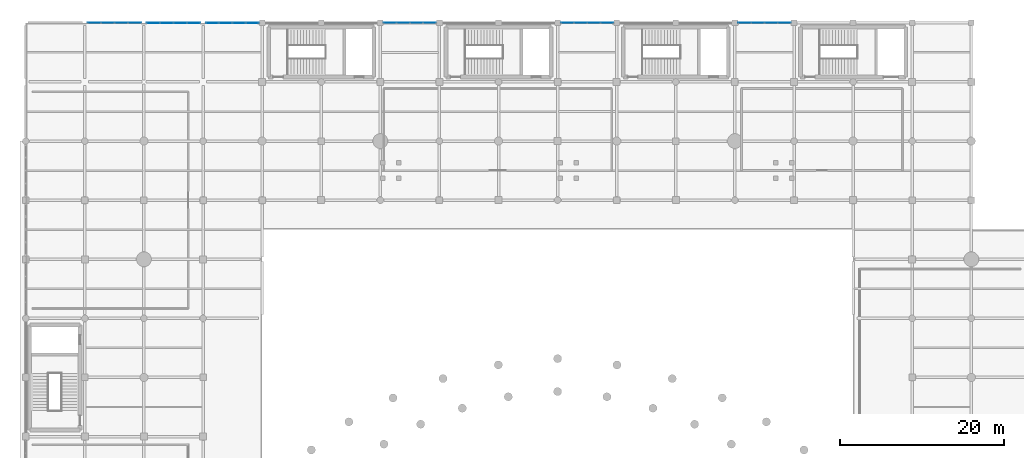
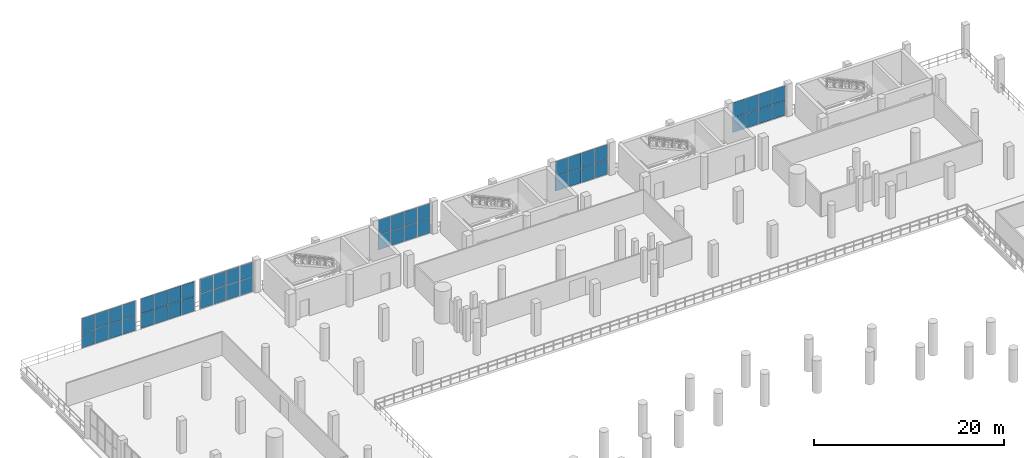
# One storey, part 129 of 153: 48 plates, 6 elements without a shape of their own.
"""IFC4 building model written with IfcOpenShell, lengths in metres."""

from ifc_helpers import new_model, si_unit, direction, frame, origin, origin_2d, place, context, subcontext, project, spatial, rectangle, extrude, material, layer, layer_set, type_object, element, aggregate, save


model = new_model("IFC4")

# Units and contexts
model_context = context("Model", 3, precision=1e-05, world=origin(), true_north=direction((0.0, 1.0)))
body_context = subcontext(model_context, "Body", "Model", "MODEL_VIEW")
ifc_project = project(units=[si_unit("LENGTHUNIT", "METRE"), si_unit("AREAUNIT", "SQUARE_METRE"), si_unit("VOLUMEUNIT", "CUBIC_METRE"), si_unit("PLANEANGLEUNIT", "RADIAN"), si_unit("MASSUNIT", "GRAM", prefix="KILO")], contexts=[model_context])

# Site, building, storey
site_placement = place(None, origin())
site = spatial("IfcSite", under=ifc_project, at=site_placement, CompositionType="ELEMENT")
building_placement = place(site_placement, origin())
building = spatial("IfcBuilding", under=site, at=building_placement, Name="Qandorah Velis Arena", CompositionType="ELEMENT")
storey_placement = place(building_placement, frame((0.0, 0.0, 5.39990234375)))
storey = spatial("IfcBuildingStorey", under=building, at=storey_placement, Name="L01", CompositionType="ELEMENT", Elevation=5.39990234375)

# Curtain wall, plates
ifc_material = material(Name="Solar-control low-E double glazing", Category="glass")
curtain_wall_type_1 = type_object("IfcCurtainWallType", Name="ARC-CW-SYS07", PredefinedType="USERDEFINED", material=ifc_material)
curtain_wall_1_placement = place(storey_placement, origin())
curtain_wall_1 = element("IfcCurtainWall", 1, at=curtain_wall_1_placement, inside=storey, type_object=curtain_wall_type_1, Name="Unitised curtain wall L01-079", ObjectType="UNITISED CURTAIN WALL", PredefinedType="USERDEFINED")
ifc_layer_1 = layer(ifc_material, 0.02392578125)
ifc_layer_set_1 = layer_set([ifc_layer_1], Name="Solar-control low-E double glazing")
plate_type_1 = type_object("IfcPlateType", Name="ARC-CWP-GLZ24", PredefinedType="CURTAIN_PANEL", material=ifc_layer_set_1)
plate_1_placement = place(storey_placement, frame((8.340087890625, 129.60009765625, 0.05029296875), z_axis=(0.0, 0.0, 1.0), x_axis=(1.0, 0.0, 0.0)))
plate_1 = element("IfcPlate", 2, at=plate_1_placement, type_object=plate_type_1, Name="CW07 panel 1.1", PredefinedType="CURTAIN_PANEL", context=body_context, shape_type="SweptSolid", body=[
    extrude(rectangle(XDim=1.580078125, YDim=0.02392578125, at=origin_2d()), origin(), (0.0, 0.0, 1.0), 1.889892578125),
])
plate_2_placement = place(storey_placement, frame((8.340087890625, 129.60009765625, 1.97998046875), z_axis=(0.0, 0.0, 1.0), x_axis=(1.0, 0.0, 0.0)))
plate_2 = element("IfcPlate", 3, at=plate_2_placement, type_object=plate_type_1, Name="CW07 panel 1.2", PredefinedType="CURTAIN_PANEL", context=body_context, shape_type="SweptSolid", body=[
    extrude(rectangle(XDim=1.580078125, YDim=0.02392578125, at=origin_2d()), origin(), (0.0, 0.0, 1.0), 1.889892578125),
])
plate_3_placement = place(storey_placement, frame((9.97509765625, 129.60009765625, 0.05029296875), z_axis=(0.0, 0.0, 1.0), x_axis=(1.0, 0.0, 0.0)))
plate_3 = element("IfcPlate", 4, at=plate_3_placement, type_object=plate_type_1, Name="CW07 panel 2.1", PredefinedType="CURTAIN_PANEL", context=body_context, shape_type="SweptSolid", body=[
    extrude(rectangle(XDim=1.610107421875, YDim=0.02392578125, at=origin_2d()), origin(), (0.0, 0.0, 1.0), 1.889892578125),
])
plate_4_placement = place(storey_placement, frame((9.97509765625, 129.60009765625, 1.97998046875), z_axis=(0.0, 0.0, 1.0), x_axis=(1.0, 0.0, 0.0)))
plate_4 = element("IfcPlate", 5, at=plate_4_placement, type_object=plate_type_1, Name="CW07 panel 2.2", PredefinedType="CURTAIN_PANEL", context=body_context, shape_type="SweptSolid", body=[
    extrude(rectangle(XDim=1.610107421875, YDim=0.02392578125, at=origin_2d()), origin(), (0.0, 0.0, 1.0), 1.889892578125),
])
plate_5_placement = place(storey_placement, frame((11.625, 129.60009765625, 0.05029296875), z_axis=(0.0, 0.0, 1.0), x_axis=(1.0, 0.0, 0.0)))
plate_5 = element("IfcPlate", 6, at=plate_5_placement, type_object=plate_type_1, Name="CW07 panel 3.1", PredefinedType="CURTAIN_PANEL", context=body_context, shape_type="SweptSolid", body=[
    extrude(rectangle(XDim=1.610107421875, YDim=0.02392578125, at=origin_2d()), origin(), (0.0, 0.0, 1.0), 1.889892578125),
])
plate_6_placement = place(storey_placement, frame((11.625, 129.60009765625, 1.97998046875), z_axis=(0.0, 0.0, 1.0), x_axis=(1.0, 0.0, 0.0)))
plate_6 = element("IfcPlate", 7, at=plate_6_placement, type_object=plate_type_1, Name="CW07 panel 3.2", PredefinedType="CURTAIN_PANEL", context=body_context, shape_type="SweptSolid", body=[
    extrude(rectangle(XDim=1.610107421875, YDim=0.02392578125, at=origin_2d()), origin(), (0.0, 0.0, 1.0), 1.889892578125),
])
plate_7_placement = place(storey_placement, frame((13.260009765625, 129.60009765625, 0.05029296875), z_axis=(0.0, 0.0, 1.0), x_axis=(1.0, 0.0, 0.0)))
plate_7 = element("IfcPlate", 8, at=plate_7_placement, type_object=plate_type_1, Name="CW07 panel 4.1", PredefinedType="CURTAIN_PANEL", context=body_context, shape_type="SweptSolid", body=[
    extrude(rectangle(XDim=1.580078125, YDim=0.02392578125, at=origin_2d()), origin(), (0.0, 0.0, 1.0), 1.889892578125),
])
plate_8_placement = place(storey_placement, frame((13.260009765625, 129.60009765625, 1.97998046875), z_axis=(0.0, 0.0, 1.0), x_axis=(1.0, 0.0, 0.0)))
plate_8 = element("IfcPlate", 9, at=plate_8_placement, type_object=plate_type_1, Name="CW07 panel 4.2", PredefinedType="CURTAIN_PANEL", context=body_context, shape_type="SweptSolid", body=[
    extrude(rectangle(XDim=1.580078125, YDim=0.02392578125, at=origin_2d()), origin(), (0.0, 0.0, 1.0), 1.889892578125),
])
aggregate(curtain_wall_1, [plate_1, plate_2, plate_3, plate_4, plate_5, plate_6, plate_7, plate_8])

curtain_wall_type_2 = type_object("IfcCurtainWallType", Name="ARC-CW-SYS12", PredefinedType="USERDEFINED", material=ifc_material)
curtain_wall_2_placement = place(storey_placement, origin())
curtain_wall_2 = element("IfcCurtainWall", 10, at=curtain_wall_2_placement, inside=storey, type_object=curtain_wall_type_2, Name="Unitised curtain wall L01-084", ObjectType="UNITISED CURTAIN WALL", PredefinedType="USERDEFINED")
plate_9_placement = place(storey_placement, frame((87.594970703125, 129.60009765625, 0.045166015625), z_axis=(0.0, 0.0, 1.0), x_axis=(1.0, 0.0, 0.0)))
plate_9 = element("IfcPlate", 11, at=plate_9_placement, type_object=plate_type_1, Name="CW12 panel 1.1", PredefinedType="CURTAIN_PANEL", context=body_context, shape_type="SweptSolid", body=[
    extrude(rectangle(XDim=1.550048828125, YDim=0.02392578125, at=origin_2d()), origin(), (0.0, 0.0, 1.0), 1.8974609375),
])
plate_10_placement = place(storey_placement, frame((87.594970703125, 129.60009765625, 1.9775390625), z_axis=(0.0, 0.0, 1.0), x_axis=(1.0, 0.0, 0.0)))
plate_10 = element("IfcPlate", 12, at=plate_10_placement, type_object=plate_type_1, Name="CW12 panel 1.2", PredefinedType="CURTAIN_PANEL", context=body_context, shape_type="SweptSolid", body=[
    extrude(rectangle(XDim=1.550048828125, YDim=0.02392578125, at=origin_2d()), origin(), (0.0, 0.0, 1.0), 1.8974609375),
])
plate_11_placement = place(storey_placement, frame((89.19384765625, 129.60009765625, 0.045166015625), z_axis=(0.0, 0.0, 1.0), x_axis=(1.0, 0.0, 0.0)))
plate_11 = element("IfcPlate", 13, at=plate_11_placement, type_object=plate_type_1, Name="CW12 panel 2.1", PredefinedType="CURTAIN_PANEL", context=body_context, shape_type="SweptSolid", body=[
    extrude(rectangle(XDim=1.577392578125, YDim=0.02392578125, at=origin_2d()), origin(), (0.0, 0.0, 1.0), 1.8974609375),
])
plate_12_placement = place(storey_placement, frame((89.19384765625, 129.60009765625, 1.9775390625), z_axis=(0.0, 0.0, 1.0), x_axis=(1.0, 0.0, 0.0)))
plate_12 = element("IfcPlate", 14, at=plate_12_placement, type_object=plate_type_1, Name="CW12 panel 2.2", PredefinedType="CURTAIN_PANEL", context=body_context, shape_type="SweptSolid", body=[
    extrude(rectangle(XDim=1.577392578125, YDim=0.02392578125, at=origin_2d()), origin(), (0.0, 0.0, 1.0), 1.8974609375),
])
plate_13_placement = place(storey_placement, frame((90.80615234375, 129.60009765625, 0.045166015625), z_axis=(0.0, 0.0, 1.0), x_axis=(1.0, 0.0, 0.0)))
plate_13 = element("IfcPlate", 15, at=plate_13_placement, type_object=plate_type_1, Name="CW12 panel 3.1", PredefinedType="CURTAIN_PANEL", context=body_context, shape_type="SweptSolid", body=[
    extrude(rectangle(XDim=1.577392578125, YDim=0.02392578125, at=origin_2d()), origin(), (0.0, 0.0, 1.0), 1.8974609375),
])
plate_14_placement = place(storey_placement, frame((90.80615234375, 129.60009765625, 1.9775390625), z_axis=(0.0, 0.0, 1.0), x_axis=(1.0, 0.0, 0.0)))
plate_14 = element("IfcPlate", 16, at=plate_14_placement, type_object=plate_type_1, Name="CW12 panel 3.2", PredefinedType="CURTAIN_PANEL", context=body_context, shape_type="SweptSolid", body=[
    extrude(rectangle(XDim=1.577392578125, YDim=0.02392578125, at=origin_2d()), origin(), (0.0, 0.0, 1.0), 1.8974609375),
])
plate_15_placement = place(storey_placement, frame((92.405029296875, 129.60009765625, 0.045166015625), z_axis=(0.0, 0.0, 1.0), x_axis=(1.0, 0.0, 0.0)))
plate_15 = element("IfcPlate", 17, at=plate_15_placement, type_object=plate_type_1, Name="CW12 panel 4.1", PredefinedType="CURTAIN_PANEL", context=body_context, shape_type="SweptSolid", body=[
    extrude(rectangle(XDim=1.550048828125, YDim=0.02392578125, at=origin_2d()), origin(), (0.0, 0.0, 1.0), 1.8974609375),
])
plate_16_placement = place(storey_placement, frame((92.405029296875, 129.60009765625, 1.9775390625), z_axis=(0.0, 0.0, 1.0), x_axis=(1.0, 0.0, 0.0)))
plate_16 = element("IfcPlate", 18, at=plate_16_placement, type_object=plate_type_1, Name="CW12 panel 4.2", PredefinedType="CURTAIN_PANEL", context=body_context, shape_type="SweptSolid", body=[
    extrude(rectangle(XDim=1.550048828125, YDim=0.02392578125, at=origin_2d()), origin(), (0.0, 0.0, 1.0), 1.8974609375),
])
aggregate(curtain_wall_2, [plate_9, plate_10, plate_11, plate_12, plate_13, plate_14, plate_15, plate_16])

curtain_wall_type_3 = type_object("IfcCurtainWallType", Name="ARC-CW-SYS11", PredefinedType="USERDEFINED", material=ifc_material)
curtain_wall_3_placement = place(storey_placement, origin())
curtain_wall_3 = element("IfcCurtainWall", 19, at=curtain_wall_3_placement, inside=storey, type_object=curtain_wall_type_3, Name="Unitised curtain wall L01-083", ObjectType="UNITISED CURTAIN WALL", PredefinedType="USERDEFINED")
ifc_layer_2 = layer(ifc_material, 0.028076171875)
ifc_layer_set_2 = layer_set([ifc_layer_2], Name="Solar-control low-E double glazing")
plate_type_2 = type_object("IfcPlateType", Name="ARC-CWP-GLZ28", PredefinedType="CURTAIN_PANEL", material=ifc_layer_set_2)
plate_17_placement = place(storey_placement, frame((65.996337890625, 129.60009765625, 0.05029296875), z_axis=(0.0, 0.0, 1.0), x_axis=(1.0, 0.0, 0.0)))
plate_17 = element("IfcPlate", 20, at=plate_17_placement, type_object=plate_type_2, Name="CW11 panel 1.1", PredefinedType="CURTAIN_PANEL", context=body_context, shape_type="SweptSolid", body=[
    extrude(rectangle(XDim=1.54248046875, YDim=0.028076171875, at=origin_2d()), origin(), (0.0, 0.0, 1.0), 1.889892578125),
])
plate_18_placement = place(storey_placement, frame((65.996337890625, 129.60009765625, 1.97998046875), z_axis=(0.0, 0.0, 1.0), x_axis=(1.0, 0.0, 0.0)))
plate_18 = element("IfcPlate", 21, at=plate_18_placement, type_object=plate_type_2, Name="CW11 panel 1.2", PredefinedType="CURTAIN_PANEL", context=body_context, shape_type="SweptSolid", body=[
    extrude(rectangle(XDim=1.54248046875, YDim=0.028076171875, at=origin_2d()), origin(), (0.0, 0.0, 1.0), 1.889892578125),
])
plate_19_placement = place(storey_placement, frame((67.59375, 129.60009765625, 0.05029296875), z_axis=(0.0, 0.0, 1.0), x_axis=(1.0, 0.0, 0.0)))
plate_19 = element("IfcPlate", 22, at=plate_19_placement, type_object=plate_type_2, Name="CW11 panel 2.1", PredefinedType="CURTAIN_PANEL", context=body_context, shape_type="SweptSolid", body=[
    extrude(rectangle(XDim=1.572509765625, YDim=0.028076171875, at=origin_2d()), origin(), (0.0, 0.0, 1.0), 1.889892578125),
])
plate_20_placement = place(storey_placement, frame((67.59375, 129.60009765625, 1.97998046875), z_axis=(0.0, 0.0, 1.0), x_axis=(1.0, 0.0, 0.0)))
plate_20 = element("IfcPlate", 23, at=plate_20_placement, type_object=plate_type_2, Name="CW11 panel 2.2", PredefinedType="CURTAIN_PANEL", context=body_context, shape_type="SweptSolid", body=[
    extrude(rectangle(XDim=1.572509765625, YDim=0.028076171875, at=origin_2d()), origin(), (0.0, 0.0, 1.0), 1.889892578125),
])
plate_21_placement = place(storey_placement, frame((69.206298828125, 129.60009765625, 0.05029296875), z_axis=(0.0, 0.0, 1.0), x_axis=(1.0, 0.0, 0.0)))
plate_21 = element("IfcPlate", 24, at=plate_21_placement, type_object=plate_type_2, Name="CW11 panel 3.1", PredefinedType="CURTAIN_PANEL", context=body_context, shape_type="SweptSolid", body=[
    extrude(rectangle(XDim=1.572509765625, YDim=0.028076171875, at=origin_2d()), origin(), (0.0, 0.0, 1.0), 1.889892578125),
])
plate_22_placement = place(storey_placement, frame((69.206298828125, 129.60009765625, 1.97998046875), z_axis=(0.0, 0.0, 1.0), x_axis=(1.0, 0.0, 0.0)))
plate_22 = element("IfcPlate", 25, at=plate_22_placement, type_object=plate_type_2, Name="CW11 panel 3.2", PredefinedType="CURTAIN_PANEL", context=body_context, shape_type="SweptSolid", body=[
    extrude(rectangle(XDim=1.572509765625, YDim=0.028076171875, at=origin_2d()), origin(), (0.0, 0.0, 1.0), 1.889892578125),
])
plate_23_placement = place(storey_placement, frame((70.8037109375, 129.60009765625, 0.05029296875), z_axis=(0.0, 0.0, 1.0), x_axis=(1.0, 0.0, 0.0)))
plate_23 = element("IfcPlate", 26, at=plate_23_placement, type_object=plate_type_2, Name="CW11 panel 4.1", PredefinedType="CURTAIN_PANEL", context=body_context, shape_type="SweptSolid", body=[
    extrude(rectangle(XDim=1.54248046875, YDim=0.028076171875, at=origin_2d()), origin(), (0.0, 0.0, 1.0), 1.889892578125),
])
plate_24_placement = place(storey_placement, frame((70.8037109375, 129.60009765625, 1.97998046875), z_axis=(0.0, 0.0, 1.0), x_axis=(1.0, 0.0, 0.0)))
plate_24 = element("IfcPlate", 27, at=plate_24_placement, type_object=plate_type_2, Name="CW11 panel 4.2", PredefinedType="CURTAIN_PANEL", context=body_context, shape_type="SweptSolid", body=[
    extrude(rectangle(XDim=1.54248046875, YDim=0.028076171875, at=origin_2d()), origin(), (0.0, 0.0, 1.0), 1.889892578125),
])
aggregate(curtain_wall_3, [plate_17, plate_18, plate_19, plate_20, plate_21, plate_22, plate_23, plate_24])

curtain_wall_type_4 = type_object("IfcCurtainWallType", Name="ARC-CW-SYS10", PredefinedType="USERDEFINED", material=ifc_material)
curtain_wall_4_placement = place(storey_placement, origin())
curtain_wall_4 = element("IfcCurtainWall", 28, at=curtain_wall_4_placement, inside=storey, type_object=curtain_wall_type_4, Name="Unitised curtain wall L01-082", ObjectType="UNITISED CURTAIN WALL", PredefinedType="USERDEFINED")
ifc_layer_3 = layer(ifc_material, 0.030029296875)
ifc_layer_set_3 = layer_set([ifc_layer_3], Name="Solar-control low-E double glazing")
plate_type_3 = type_object("IfcPlateType", Name="ARC-CWP-GLZ30", PredefinedType="CURTAIN_PANEL", material=ifc_layer_set_3)
plate_25_placement = place(storey_placement, frame((44.3974609375, 129.60009765625, 0.05517578125), z_axis=(0.0, 0.0, 1.0), x_axis=(1.0, 0.0, 0.0)))
plate_25 = element("IfcPlate", 29, at=plate_25_placement, type_object=plate_type_3, Name="CW10 panel 1.1", PredefinedType="CURTAIN_PANEL", context=body_context, shape_type="SweptSolid", body=[
    extrude(rectangle(XDim=1.534912109375, YDim=0.030029296875, at=origin_2d()), origin(), (0.0, 0.0, 1.0), 1.882568359375),
])
plate_26_placement = place(storey_placement, frame((44.3974609375, 129.60009765625, 1.982421875), z_axis=(0.0, 0.0, 1.0), x_axis=(1.0, 0.0, 0.0)))
plate_26 = element("IfcPlate", 30, at=plate_26_placement, type_object=plate_type_3, Name="CW10 panel 1.2", PredefinedType="CURTAIN_PANEL", context=body_context, shape_type="SweptSolid", body=[
    extrude(rectangle(XDim=1.534912109375, YDim=0.030029296875, at=origin_2d()), origin(), (0.0, 0.0, 1.0), 1.882568359375),
])
plate_27_placement = place(storey_placement, frame((45.99365234375, 129.60009765625, 0.05517578125), z_axis=(0.0, 0.0, 1.0), x_axis=(1.0, 0.0, 0.0)))
plate_27 = element("IfcPlate", 31, at=plate_27_placement, type_object=plate_type_3, Name="CW10 panel 2.1", PredefinedType="CURTAIN_PANEL", context=body_context, shape_type="SweptSolid", body=[
    extrude(rectangle(XDim=1.5673828125, YDim=0.030029296875, at=origin_2d()), origin(), (0.0, 0.0, 1.0), 1.882568359375),
])
plate_28_placement = place(storey_placement, frame((45.99365234375, 129.60009765625, 1.982421875), z_axis=(0.0, 0.0, 1.0), x_axis=(1.0, 0.0, 0.0)))
plate_28 = element("IfcPlate", 32, at=plate_28_placement, type_object=plate_type_3, Name="CW10 panel 2.2", PredefinedType="CURTAIN_PANEL", context=body_context, shape_type="SweptSolid", body=[
    extrude(rectangle(XDim=1.5673828125, YDim=0.030029296875, at=origin_2d()), origin(), (0.0, 0.0, 1.0), 1.882568359375),
])
plate_29_placement = place(storey_placement, frame((47.606201171875, 129.60009765625, 0.05517578125), z_axis=(0.0, 0.0, 1.0), x_axis=(1.0, 0.0, 0.0)))
plate_29 = element("IfcPlate", 33, at=plate_29_placement, type_object=plate_type_3, Name="CW10 panel 3.1", PredefinedType="CURTAIN_PANEL", context=body_context, shape_type="SweptSolid", body=[
    extrude(rectangle(XDim=1.5673828125, YDim=0.030029296875, at=origin_2d()), origin(), (0.0, 0.0, 1.0), 1.882568359375),
])
plate_30_placement = place(storey_placement, frame((47.606201171875, 129.60009765625, 1.982421875), z_axis=(0.0, 0.0, 1.0), x_axis=(1.0, 0.0, 0.0)))
plate_30 = element("IfcPlate", 34, at=plate_30_placement, type_object=plate_type_3, Name="CW10 panel 3.2", PredefinedType="CURTAIN_PANEL", context=body_context, shape_type="SweptSolid", body=[
    extrude(rectangle(XDim=1.5673828125, YDim=0.030029296875, at=origin_2d()), origin(), (0.0, 0.0, 1.0), 1.882568359375),
])
plate_31_placement = place(storey_placement, frame((49.202392578125, 129.60009765625, 0.05517578125), z_axis=(0.0, 0.0, 1.0), x_axis=(1.0, 0.0, 0.0)))
plate_31 = element("IfcPlate", 35, at=plate_31_placement, type_object=plate_type_3, Name="CW10 panel 4.1", PredefinedType="CURTAIN_PANEL", context=body_context, shape_type="SweptSolid", body=[
    extrude(rectangle(XDim=1.534912109375, YDim=0.030029296875, at=origin_2d()), origin(), (0.0, 0.0, 1.0), 1.882568359375),
])
plate_32_placement = place(storey_placement, frame((49.202392578125, 129.60009765625, 1.982421875), z_axis=(0.0, 0.0, 1.0), x_axis=(1.0, 0.0, 0.0)))
plate_32 = element("IfcPlate", 36, at=plate_32_placement, type_object=plate_type_3, Name="CW10 panel 4.2", PredefinedType="CURTAIN_PANEL", context=body_context, shape_type="SweptSolid", body=[
    extrude(rectangle(XDim=1.534912109375, YDim=0.030029296875, at=origin_2d()), origin(), (0.0, 0.0, 1.0), 1.882568359375),
])
aggregate(curtain_wall_4, [plate_25, plate_26, plate_27, plate_28, plate_29, plate_30, plate_31, plate_32])

curtain_wall_type_5 = type_object("IfcCurtainWallType", Name="ARC-CW-SYS09", PredefinedType="USERDEFINED", material=ifc_material)
curtain_wall_5_placement = place(storey_placement, origin())
curtain_wall_5 = element("IfcCurtainWall", 37, at=curtain_wall_5_placement, inside=storey, type_object=curtain_wall_type_5, Name="Unitised curtain wall L01-081", ObjectType="UNITISED CURTAIN WALL", PredefinedType="USERDEFINED")
ifc_layer_4 = layer(ifc_material, 0.035888671875)
ifc_layer_set_4 = layer_set([ifc_layer_4], Name="Solar-control low-E double glazing")
plate_type_4 = type_object("IfcPlateType", Name="ARC-CWP-GLZ36", PredefinedType="CURTAIN_PANEL", material=ifc_layer_set_4)
plate_33_placement = place(storey_placement, frame((22.734375, 129.60009765625, 0.06494140625), z_axis=(0.0, 0.0, 1.0), x_axis=(1.0, 0.0, 0.0)))
plate_33 = element("IfcPlate", 38, at=plate_33_placement, type_object=plate_type_4, Name="CW09 panel 1.1", PredefinedType="CURTAIN_PANEL", context=body_context, shape_type="SweptSolid", body=[
    extrude(rectangle(XDim=1.538818359375, YDim=0.035888671875, at=origin_2d()), origin(), (0.0, 0.0, 1.0), 1.867431640625),
])
plate_34_placement = place(storey_placement, frame((22.734375, 129.60009765625, 1.98779296875), z_axis=(0.0, 0.0, 1.0), x_axis=(1.0, 0.0, 0.0)))
plate_34 = element("IfcPlate", 39, at=plate_34_placement, type_object=plate_type_4, Name="CW09 panel 1.2", PredefinedType="CURTAIN_PANEL", context=body_context, shape_type="SweptSolid", body=[
    extrude(rectangle(XDim=1.538818359375, YDim=0.035888671875, at=origin_2d()), origin(), (0.0, 0.0, 1.0), 1.867431640625),
])
plate_35_placement = place(storey_placement, frame((24.346923828125, 129.60009765625, 0.06494140625), z_axis=(0.0, 0.0, 1.0), x_axis=(1.0, 0.0, 0.0)))
plate_35 = element("IfcPlate", 40, at=plate_35_placement, type_object=plate_type_4, Name="CW09 panel 2.1", PredefinedType="CURTAIN_PANEL", context=body_context, shape_type="SweptSolid", body=[
    extrude(rectangle(XDim=1.576416015625, YDim=0.035888671875, at=origin_2d()), origin(), (0.0, 0.0, 1.0), 1.867431640625),
])
plate_36_placement = place(storey_placement, frame((24.346923828125, 129.60009765625, 1.98779296875), z_axis=(0.0, 0.0, 1.0), x_axis=(1.0, 0.0, 0.0)))
plate_36 = element("IfcPlate", 41, at=plate_36_placement, type_object=plate_type_4, Name="CW09 panel 2.2", PredefinedType="CURTAIN_PANEL", context=body_context, shape_type="SweptSolid", body=[
    extrude(rectangle(XDim=1.576416015625, YDim=0.035888671875, at=origin_2d()), origin(), (0.0, 0.0, 1.0), 1.867431640625),
])
plate_37_placement = place(storey_placement, frame((25.97802734375, 129.60009765625, 0.06494140625), z_axis=(0.0, 0.0, 1.0), x_axis=(1.0, 0.0, 0.0)))
plate_37 = element("IfcPlate", 42, at=plate_37_placement, type_object=plate_type_4, Name="CW09 panel 3.1", PredefinedType="CURTAIN_PANEL", context=body_context, shape_type="SweptSolid", body=[
    extrude(rectangle(XDim=1.576416015625, YDim=0.035888671875, at=origin_2d()), origin(), (0.0, 0.0, 1.0), 1.867431640625),
])
plate_38_placement = place(storey_placement, frame((25.97802734375, 129.60009765625, 1.98779296875), z_axis=(0.0, 0.0, 1.0), x_axis=(1.0, 0.0, 0.0)))
plate_38 = element("IfcPlate", 43, at=plate_38_placement, type_object=plate_type_4, Name="CW09 panel 3.2", PredefinedType="CURTAIN_PANEL", context=body_context, shape_type="SweptSolid", body=[
    extrude(rectangle(XDim=1.576416015625, YDim=0.035888671875, at=origin_2d()), origin(), (0.0, 0.0, 1.0), 1.867431640625),
])
plate_39_placement = place(storey_placement, frame((27.590576171875, 129.60009765625, 0.06494140625), z_axis=(0.0, 0.0, 1.0), x_axis=(1.0, 0.0, 0.0)))
plate_39 = element("IfcPlate", 44, at=plate_39_placement, type_object=plate_type_4, Name="CW09 panel 4.1", PredefinedType="CURTAIN_PANEL", context=body_context, shape_type="SweptSolid", body=[
    extrude(rectangle(XDim=1.538818359375, YDim=0.035888671875, at=origin_2d()), origin(), (0.0, 0.0, 1.0), 1.867431640625),
])
plate_40_placement = place(storey_placement, frame((27.590576171875, 129.60009765625, 1.98779296875), z_axis=(0.0, 0.0, 1.0), x_axis=(1.0, 0.0, 0.0)))
plate_40 = element("IfcPlate", 45, at=plate_40_placement, type_object=plate_type_4, Name="CW09 panel 4.2", PredefinedType="CURTAIN_PANEL", context=body_context, shape_type="SweptSolid", body=[
    extrude(rectangle(XDim=1.538818359375, YDim=0.035888671875, at=origin_2d()), origin(), (0.0, 0.0, 1.0), 1.867431640625),
])
aggregate(curtain_wall_5, [plate_33, plate_34, plate_35, plate_36, plate_37, plate_38, plate_39, plate_40])

curtain_wall_type_6 = type_object("IfcCurtainWallType", Name="ARC-CW-SYS08", PredefinedType="USERDEFINED", material=ifc_material)
curtain_wall_6_placement = place(storey_placement, origin())
curtain_wall_6 = element("IfcCurtainWall", 46, at=curtain_wall_6_placement, inside=storey, type_object=curtain_wall_type_6, Name="Unitised curtain wall L01-080", ObjectType="UNITISED CURTAIN WALL", PredefinedType="USERDEFINED")
ifc_layer_5 = layer(ifc_material, 0.0439453125)
ifc_layer_set_5 = layer_set([ifc_layer_5], Name="Solar-control low-E double glazing")
plate_type_5 = type_object("IfcPlateType", Name="ARC-CWP-SPN44", PredefinedType="CURTAIN_PANEL", material=ifc_layer_set_5)
plate_41_placement = place(storey_placement, frame((15.538818359375, 129.60009765625, 0.045166015625), z_axis=(0.0, 0.0, 1.0), x_axis=(1.0, 0.0, 0.0)))
plate_41 = element("IfcPlate", 47, at=plate_41_placement, type_object=plate_type_5, Name="CW08 panel 1.1", PredefinedType="CURTAIN_PANEL", context=body_context, shape_type="SweptSolid", body=[
    extrude(rectangle(XDim=1.58740234375, YDim=0.0439453125, at=origin_2d()), origin(), (0.0, 0.0, 1.0), 1.8974609375),
])
plate_42_placement = place(storey_placement, frame((15.538818359375, 129.60009765625, 1.9775390625), z_axis=(0.0, 0.0, 1.0), x_axis=(1.0, 0.0, 0.0)))
plate_42 = element("IfcPlate", 48, at=plate_42_placement, type_object=plate_type_5, Name="CW08 panel 1.2", PredefinedType="CURTAIN_PANEL", context=body_context, shape_type="SweptSolid", body=[
    extrude(rectangle(XDim=1.58740234375, YDim=0.0439453125, at=origin_2d()), origin(), (0.0, 0.0, 1.0), 1.8974609375),
])
plate_43_placement = place(storey_placement, frame((17.175048828125, 129.60009765625, 0.045166015625), z_axis=(0.0, 0.0, 1.0), x_axis=(1.0, 0.0, 0.0)))
plate_43 = element("IfcPlate", 49, at=plate_43_placement, type_object=plate_type_5, Name="CW08 panel 2.1", PredefinedType="CURTAIN_PANEL", context=body_context, shape_type="SweptSolid", body=[
    extrude(rectangle(XDim=1.614990234375, YDim=0.0439453125, at=origin_2d()), origin(), (0.0, 0.0, 1.0), 1.8974609375),
])
plate_44_placement = place(storey_placement, frame((17.175048828125, 129.60009765625, 1.9775390625), z_axis=(0.0, 0.0, 1.0), x_axis=(1.0, 0.0, 0.0)))
plate_44 = element("IfcPlate", 50, at=plate_44_placement, type_object=plate_type_5, Name="CW08 panel 2.2", PredefinedType="CURTAIN_PANEL", context=body_context, shape_type="SweptSolid", body=[
    extrude(rectangle(XDim=1.614990234375, YDim=0.0439453125, at=origin_2d()), origin(), (0.0, 0.0, 1.0), 1.8974609375),
])
plate_45_placement = place(storey_placement, frame((18.824951171875, 129.60009765625, 0.045166015625), z_axis=(0.0, 0.0, 1.0), x_axis=(1.0, 0.0, 0.0)))
plate_45 = element("IfcPlate", 51, at=plate_45_placement, type_object=plate_type_5, Name="CW08 panel 3.1", PredefinedType="CURTAIN_PANEL", context=body_context, shape_type="SweptSolid", body=[
    extrude(rectangle(XDim=1.614990234375, YDim=0.0439453125, at=origin_2d()), origin(), (0.0, 0.0, 1.0), 1.8974609375),
])
plate_46_placement = place(storey_placement, frame((18.824951171875, 129.60009765625, 1.9775390625), z_axis=(0.0, 0.0, 1.0), x_axis=(1.0, 0.0, 0.0)))
plate_46 = element("IfcPlate", 52, at=plate_46_placement, type_object=plate_type_5, Name="CW08 panel 3.2", PredefinedType="CURTAIN_PANEL", context=body_context, shape_type="SweptSolid", body=[
    extrude(rectangle(XDim=1.614990234375, YDim=0.0439453125, at=origin_2d()), origin(), (0.0, 0.0, 1.0), 1.8974609375),
])
plate_47_placement = place(storey_placement, frame((20.461181640625, 129.60009765625, 0.045166015625), z_axis=(0.0, 0.0, 1.0), x_axis=(1.0, 0.0, 0.0)))
plate_47 = element("IfcPlate", 53, at=plate_47_placement, type_object=plate_type_5, Name="CW08 panel 4.1", PredefinedType="CURTAIN_PANEL", context=body_context, shape_type="SweptSolid", body=[
    extrude(rectangle(XDim=1.58740234375, YDim=0.0439453125, at=origin_2d()), origin(), (0.0, 0.0, 1.0), 1.8974609375),
])
plate_48_placement = place(storey_placement, frame((20.461181640625, 129.60009765625, 1.9775390625), z_axis=(0.0, 0.0, 1.0), x_axis=(1.0, 0.0, 0.0)))
plate_48 = element("IfcPlate", 54, at=plate_48_placement, type_object=plate_type_5, Name="CW08 panel 4.2", PredefinedType="CURTAIN_PANEL", context=body_context, shape_type="SweptSolid", body=[
    extrude(rectangle(XDim=1.58740234375, YDim=0.0439453125, at=origin_2d()), origin(), (0.0, 0.0, 1.0), 1.8974609375),
])
aggregate(curtain_wall_6, [plate_41, plate_42, plate_43, plate_44, plate_45, plate_46, plate_47, plate_48])

save(model, "model.ifc")
